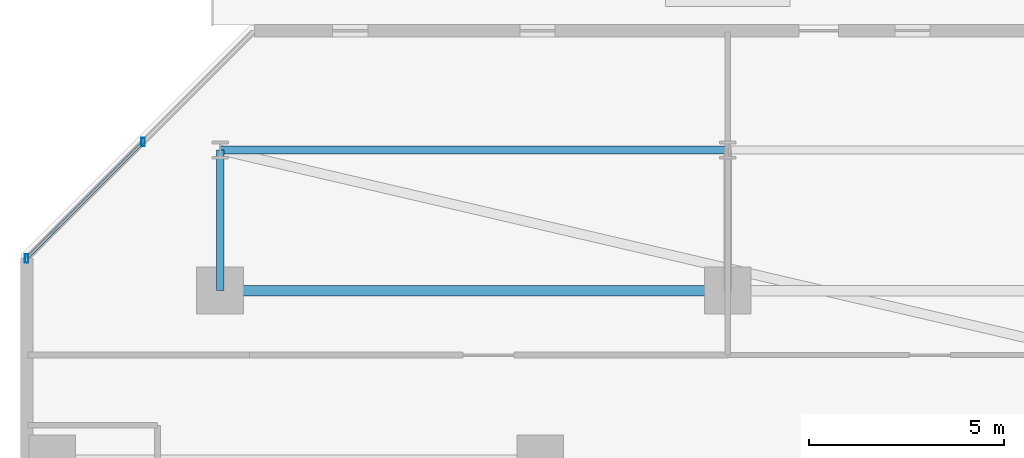
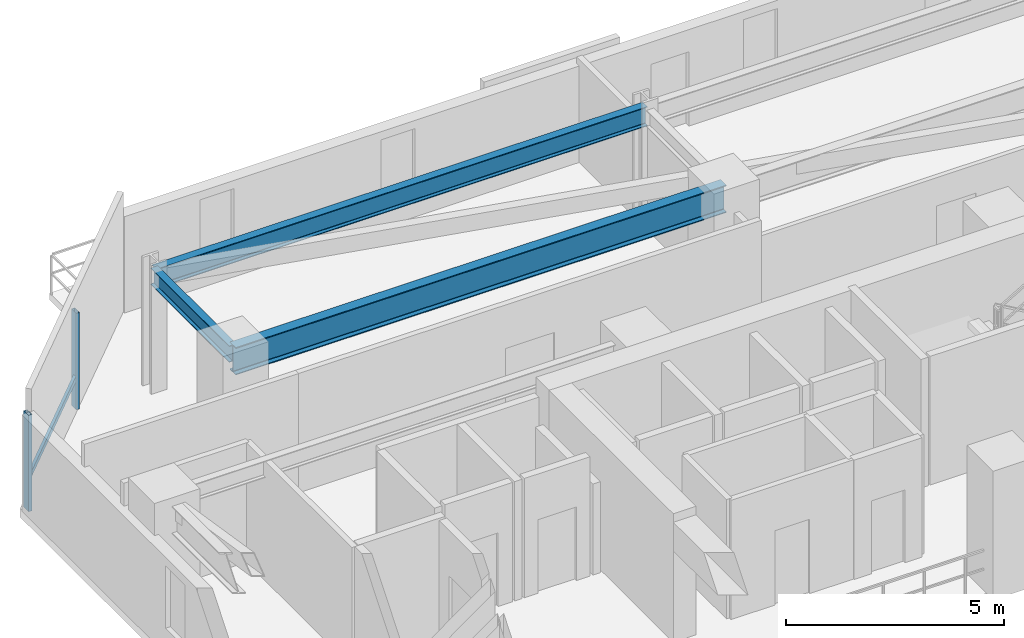
# One storey, part 8 of 30: 3 beams, 3 members, 1 element without a shape of its own.
"""IFC4 building model written with IfcOpenShell, lengths in metres."""

import ifcopenshell
import ifcopenshell.guid

model = None  # the IFC model being written
_history = None  # IfcOwnerHistory: only IFC2X3 demands one
_inside = {}  # id of a spatial element -> (the spatial element, [elements in it])
_under = {}  # id of a project, library or spatial element -> (it, [spatial elements below it])
_declared = {}  # id of a project -> (the project, [libraries it declares])
_typed = {}  # id of a type object -> (the type object, [elements of that type])
_made_of = {}  # id of a material, layer set ... -> (it, [elements and type objects made of it])


def new_model(schema):
    """Start an empty IFC model of exactly this schema.

    Asked for "IFC4X3", IfcOpenShell would pick the latest addendum, in which some entities
    have other attributes; the version numbers below select the first issue.
    IFC2X3 requires an IfcOwnerHistory on every rooted entity: one is made here for all.
    """
    global model, _history
    if schema == "IFC4X3":
        model = ifcopenshell.file(schema_version=(4, 3, 0, 0))
    else:
        model = ifcopenshell.file(schema=schema)
    _inside.clear()
    _under.clear()
    _declared.clear()
    _typed.clear()
    _made_of.clear()
    _history = None
    if model.schema == "IFC2X3":
        org = make("IfcOrganization", Name="unknown")
        user = make(
            "IfcPersonAndOrganization",
            ThePerson=make("IfcPerson", FamilyName="unknown"),
            TheOrganization=org,
        )
        app = make(
            "IfcApplication",
            ApplicationDeveloper=org,
            Version="unknown",
            ApplicationFullName="unknown",
            ApplicationIdentifier="unknown",
        )
        _history = make(
            "IfcOwnerHistory",
            OwningUser=user,
            OwningApplication=app,
            ChangeAction="ADDED",
            CreationDate=0,
        )
    return model


def make(cls, **values):
    """One entity of the class cls with the attributes given. An attribute that is None is left unset."""
    return model.create_entity(
        cls, **{name: value for name, value in values.items() if value is not None}
    )


def rooted(cls, **values):
    """An entity with a GlobalId (a new one), such as an element, a storey or a relation."""
    return make(cls, GlobalId=ifcopenshell.guid.new(), OwnerHistory=_history, **values)


def si_unit(unit_type, name, prefix=None):
    """IfcSIUnit, for example si_unit("LENGTHUNIT", "METRE", prefix="MILLI")."""
    return make("IfcSIUnit", UnitType=unit_type, Prefix=prefix, Name=name)


def assignment(units):
    """IfcUnitAssignment: the units of a project."""
    return None if units is None else make("IfcUnitAssignment", Units=units)


def point(xyz):
    """IfcCartesianPoint."""
    return None if xyz is None else make("IfcCartesianPoint", Coordinates=xyz)


def direction(xyz):
    """IfcDirection."""
    return None if xyz is None else make("IfcDirection", DirectionRatios=xyz)


def frame(location, z_axis=None, x_axis=None):
    """IfcAxis2Placement3D, a coordinate frame: its origin and axes. An axis left out is left unset."""
    return make(
        "IfcAxis2Placement3D",
        Location=point(location),
        Axis=direction(z_axis),
        RefDirection=direction(x_axis),
    )


def frame_2d(location, x_axis=None):
    """IfcAxis2Placement2D, a coordinate frame in the plane: its origin and x axis."""
    return make(
        "IfcAxis2Placement2D", Location=point(location), RefDirection=direction(x_axis)
    )


def origin():
    """The frame at (0, 0, 0) with its axes left unset."""
    return frame((0.0, 0.0, 0.0))


def origin_2d():
    """The frame at (0, 0) in the plane with its x axis left unset."""
    return frame_2d((0.0, 0.0))


def place(relative_to, where):
    """IfcLocalPlacement: puts the frame where relative to a parent placement (None: the world)."""
    return make(
        "IfcLocalPlacement", PlacementRelTo=relative_to, RelativePlacement=where
    )


def context(
    kind, dimensions, precision=None, world=None, true_north=None, identifier=None
):
    """IfcGeometricRepresentationContext, for example the 3D "Model" context."""
    return make(
        "IfcGeometricRepresentationContext",
        ContextIdentifier=identifier,
        ContextType=kind,
        CoordinateSpaceDimension=dimensions,
        Precision=precision,
        WorldCoordinateSystem=world,
        TrueNorth=true_north,
    )


def subcontext(parent, identifier, kind, view, scale=None):
    """IfcGeometricRepresentationSubContext, for example "Body" below "Model"."""
    return make(
        "IfcGeometricRepresentationSubContext",
        ContextIdentifier=identifier,
        ContextType=kind,
        ParentContext=parent,
        TargetScale=scale,
        TargetView=view,
    )


def project(units=None, contexts=None):
    """IfcProject with its units and contexts."""
    return rooted(
        "IfcProject",
        Name="project",
        RepresentationContexts=contexts,
        UnitsInContext=assignment(units),
    )


def spatial(cls, under=None, at=None, **own):
    """A site, building, storey or space (cls), placed at a placement, below another one or the project."""
    s = rooted(cls, ObjectPlacement=at, **own)
    if under is not None:
        _under.setdefault(under.id(), (under, []))[1].append(s)
    return s


def profile(cls, at=None, kind="AREA", **sizes):
    """A parametric profile (cls). Its sizes go by their IFC names, for example OverallWidth=200.0."""
    return make(cls, ProfileType=kind, Position=at, **sizes)


def hollow_rectangle(**sizes):
    """IfcRectangleHollowProfileDef."""
    return profile("IfcRectangleHollowProfileDef", **sizes)


def i_section(**sizes):
    """IfcIShapeProfileDef."""
    return profile("IfcIShapeProfileDef", **sizes)


def extrude(swept, where, along, depth):
    """IfcExtrudedAreaSolid: the profile swept, set in the frame where, extruded along a direction by depth."""
    return make(
        "IfcExtrudedAreaSolid",
        SweptArea=swept,
        Position=where,
        ExtrudedDirection=direction(along),
        Depth=depth,
    )


def shape(context_of_items, identifier, shape_type, items):
    """IfcShapeRepresentation: the items that make up one representation, for example the "Body"."""
    return make(
        "IfcShapeRepresentation",
        ContextOfItems=context_of_items,
        RepresentationIdentifier=identifier,
        RepresentationType=shape_type,
        Items=items,
    )


def material(Name=None, Category=None):
    """IfcMaterial."""
    return make("IfcMaterial", Name=Name, Category=Category)


def material_profile(
    of_material, cross_section, Name=None, Category=None, Priority=None
):
    """IfcMaterialProfile: a cross section and its material."""
    return make(
        "IfcMaterialProfile",
        Name=Name,
        Material=of_material,
        Profile=cross_section,
        Priority=Priority,
        Category=Category,
    )


def profile_set(profiles, Name=None, composite=None):
    """IfcMaterialProfileSet."""
    return make(
        "IfcMaterialProfileSet",
        Name=Name,
        MaterialProfiles=profiles,
        CompositeProfile=composite,
    )


def made_of(thing, what):
    """Note that an element or type object is made of a material, layer set ...; save() writes the relation."""
    if what is not None:
        _made_of.setdefault(what.id(), (what, []))[1].append(thing)
    return thing


def type_object(cls, material=None, **own):
    """A type object (cls), such as IfcWallType, which elements share."""
    return made_of(rooted(cls, **own), material)


def element(
    cls,
    number,
    at=None,
    inside=None,
    cuts=None,
    type_object=None,
    material=None,
    context=None,
    identifier="Body",
    shape_type=None,
    held_by="IfcProductDefinitionShape",
    body=None,
    shapes=None,
    **own,
):
    """One element of the class cls, such as IfcWall. Its Tag is "e" and its number.

    at: its placement. inside: the storey or other place that contains it. cuts: it is an
    opening in that element (IfcRelVoidsElement). A single representation is given by context,
    identifier, shape_type and body (its items); several are given by shapes. held_by: the class
    of the entity that holds the representations. save() writes the other relations.
    """
    e = rooted(cls, Tag="e%d" % number, ObjectPlacement=at, **own)
    if body is not None:
        shapes = [shape(context, identifier, shape_type, body)]
    if shapes is not None:
        e.Representation = make(held_by, Representations=shapes)
    if inside is not None:
        _inside.setdefault(inside.id(), (inside, []))[1].append(e)
    if cuts is not None:
        rooted(
            "IfcRelVoidsElement", RelatingBuildingElement=cuts, RelatedOpeningElement=e
        )
    if type_object is not None:
        _typed.setdefault(type_object.id(), (type_object, []))[1].append(e)
    return made_of(e, material)


def aggregate(whole, parts):
    """IfcRelAggregates: a whole, such as a stair, and the parts it consists of."""
    return rooted("IfcRelAggregates", RelatingObject=whole, RelatedObjects=parts)


def save(model, path):
    """Write the relations noted so far, then the file.

    IfcRelAggregates (storeys below a building ...), IfcRelContainedInSpatialStructure (elements
    in a storey), IfcRelDefinesByType, IfcRelAssociatesMaterial and IfcRelDeclares: one each for
    every whole, place, type object, material and project.
    """
    for whole, parts in _under.values():
        aggregate(whole, parts)
    for where, things in _inside.values():
        rooted(
            "IfcRelContainedInSpatialStructure",
            RelatedElements=things,
            RelatingStructure=where,
        )
    for kind, things in _typed.values():
        rooted("IfcRelDefinesByType", RelatedObjects=things, RelatingType=kind)
    for what, things in _made_of.values():
        rooted("IfcRelAssociatesMaterial", RelatedObjects=things, RelatingMaterial=what)
    for by, libraries in _declared.values():
        rooted("IfcRelDeclares", RelatingContext=by, RelatedDefinitions=libraries)
    model.write(path)


model = new_model("IFC4")

# Units and contexts
model_context = context("Model", 3, precision=1e-05, world=origin(), true_north=direction((0.0, 1.0)))
body_context = subcontext(model_context, "Body", "Model", "MODEL_VIEW")
ifc_project = project(units=[si_unit("LENGTHUNIT", "METRE"), si_unit("AREAUNIT", "SQUARE_METRE"), si_unit("VOLUMEUNIT", "CUBIC_METRE"), si_unit("PLANEANGLEUNIT", "RADIAN"), si_unit("MASSUNIT", "GRAM", prefix="KILO")], contexts=[model_context])

# Site, building, storey
site_placement = place(None, origin())
site = spatial("IfcSite", under=ifc_project, at=site_placement, CompositionType="ELEMENT")
building_placement = place(site_placement, origin())
building = spatial("IfcBuilding", under=site, at=building_placement, Name="Thornwick Lancets Civic Towers", CompositionType="ELEMENT")
storey_placement = place(building_placement, frame((0.0, 0.0, 80.10009765625)))
storey = spatial("IfcBuildingStorey", under=building, at=storey_placement, Name="L20", CompositionType="ELEMENT", Elevation=80.10009765625)

# Beams
ifc_material_1 = material(Name="Steel S355JR", Category="steel")
ifc_material_profile_1 = material_profile(ifc_material_1, i_section(OverallWidth=0.2119140625, OverallDepth=0.54443359375, WebThickness=0.0126953125, FlangeThickness=0.021240234375, FilletRadius=0.0126953125, at=origin_2d()), Name="UKB 533x210x122")
ifc_profile_set_1 = profile_set([ifc_material_profile_1], Name="Steel S355JR")
beam_type_1 = type_object("IfcBeamType", Name="BM_EDGE_533_122", PredefinedType="SPANDREL", material=ifc_profile_set_1)
beam_1_placement = place(storey_placement, frame((12.5, 47.89990234375, 3.087646484375), z_axis=(1.0, 0.0, 0.0), x_axis=(0.0, 1.0, 0.0)))
element("IfcBeam", 1, at=beam_1_placement, inside=storey, type_object=beam_type_1, Name="BM-EDGE-L20-A-S2-1", PredefinedType="SPANDREL", context=body_context, shape_type="SweptSolid", body=[
    extrude(i_section(OverallWidth=0.2119140625, OverallDepth=0.54443359375, WebThickness=0.0126953125, FlangeThickness=0.021240234375, FilletRadius=0.0126953125, at=origin_2d()), origin(), (0.0, 0.0, 1.0), 13.0),
])
ifc_material_profile_2 = material_profile(ifc_material_1, i_section(OverallWidth=0.26806640625, OverallDepth=0.769775390625, WebThickness=0.015625, FlangeThickness=0.025390625, FilletRadius=0.0166015625, at=origin_2d()), Name="UKB 762x267x197")
ifc_profile_set_2 = profile_set([ifc_material_profile_2], Name="Steel S355JR")
beam_type_2 = type_object("IfcBeamType", Name="BM_GIRD_762_197", PredefinedType="BEAM", material=ifc_profile_set_2)
beam_2_placement = place(storey_placement, frame((12.5, 44.300048828125, 2.97509765625), z_axis=(1.0, 0.0, 0.0), x_axis=(0.0, 1.0, 0.0)))
element("IfcBeam", 2, at=beam_2_placement, inside=storey, type_object=beam_type_2, Name="BM-SPINE-L20-A-6-7", PredefinedType="BEAM", context=body_context, shape_type="SweptSolid", body=[
    extrude(i_section(OverallWidth=0.26806640625, OverallDepth=0.769775390625, WebThickness=0.015625, FlangeThickness=0.025390625, FilletRadius=0.0166015625, at=origin_2d()), origin(), (0.0, 0.0, 1.0), 13.0),
])
ifc_material_profile_3 = material_profile(ifc_material_1, i_section(OverallWidth=0.19189453125, OverallDepth=0.46337890625, WebThickness=0.010498046875, FlangeThickness=0.017578125, FilletRadius=0.01025390625, at=origin_2d()), Name="UKB 457x191x89")
ifc_profile_set_3 = profile_set([ifc_material_profile_3], Name="Steel S355JR")
beam_type_3 = type_object("IfcBeamType", Name="BM_JOIST_457_89", PredefinedType="JOIST", material=ifc_profile_set_3)
beam_3_placement = place(storey_placement, frame((12.5, 44.300048828125, 3.128173828125), z_axis=(0.0, 1.0, 0.0), x_axis=(-1.0, 0.0, 0.0)))
element("IfcBeam", 3, at=beam_3_placement, inside=storey, type_object=beam_type_3, Name="BM-RAD-L20-A07", PredefinedType="JOIST", context=body_context, shape_type="SweptSolid", body=[
    extrude(i_section(OverallWidth=0.19189453125, OverallDepth=0.46337890625, WebThickness=0.010498046875, FlangeThickness=0.017578125, FilletRadius=0.01025390625, at=origin_2d()), origin(), (0.0, 0.0, 1.0), 3.599853515625),
])

# Curtain wall, members
ifc_material_2 = material(Name="Low-zone chamfered-corner unitised glass curtain wall", Category="glass")
curtain_wall_type = type_object("IfcCurtainWallType", Name="CW_SYS_03", PredefinedType="NOTDEFINED", material=ifc_material_2)
curtain_wall_placement = place(storey_placement, origin())
curtain_wall = element("IfcCurtainWall", 4, at=curtain_wall_placement, inside=storey, type_object=curtain_wall_type, Name="L20 Curtain Wall CW-L20-A-E5", PredefinedType="NOTDEFINED")
ifc_material_3 = material(Name="Thermally broken bronze aluminium S355", Category="steel")
ifc_material_profile_4 = material_profile(ifc_material_3, hollow_rectangle(XDim=0.090087890625, YDim=0.219970703125, WallThickness=0.00634765625, at=origin_2d()), Name="RHS 220x90x6.3")
ifc_profile_set_4 = profile_set([ifc_material_profile_4], Name="Thermally broken bronze aluminium S355")
member_type_1 = type_object("IfcMemberType", Name="CW_MUL_220", PredefinedType="MULLION", material=ifc_profile_set_4)
member_1_placement = place(storey_placement, frame((10.5283203125, 48.10400390625, 0.0), z_axis=(0.0, 0.0, 1.0), x_axis=(1.0, 0.0, 0.0)))
member_1 = element("IfcMember", 5, at=member_1_placement, type_object=member_type_1, Name="CW-L20-A-E5 Mullion 0", PredefinedType="MULLION", context=body_context, shape_type="SweptSolid", body=[
    extrude(hollow_rectangle(XDim=0.090087890625, YDim=0.219970703125, WallThickness=0.00634765625, at=origin_2d()), origin(), (0.0, 0.0, 1.0), 2.699951171875),
])
member_2_placement = place(storey_placement, frame((7.5458984375, 45.12158203125, 0.0), z_axis=(0.0, 0.0, 1.0), x_axis=(1.0, 0.0, 0.0)))
member_2 = element("IfcMember", 6, at=member_2_placement, type_object=member_type_1, Name="CW-L20-A-E5 Mullion 1", PredefinedType="MULLION", context=body_context, shape_type="SweptSolid", body=[
    extrude(hollow_rectangle(XDim=0.090087890625, YDim=0.219970703125, WallThickness=0.00634765625, at=origin_2d()), origin(), (0.0, 0.0, 1.0), 2.699951171875),
])
ifc_material_profile_5 = material_profile(ifc_material_3, hollow_rectangle(XDim=0.074951171875, YDim=0.14990234375, WallThickness=0.0048828125, at=origin_2d()), Name="RHS 150x75x5")
ifc_profile_set_5 = profile_set([ifc_material_profile_5], Name="Thermally broken bronze aluminium S355")
member_type_2 = type_object("IfcMemberType", Name="CW_TRN_150", PredefinedType="USERDEFINED", material=ifc_profile_set_5)
member_3_placement = place(storey_placement, frame((10.51416015625, 48.08984375, 0.849853515625), z_axis=(-0.707106781187, -0.707106781187, 0.0), x_axis=(0.707106781187, -0.707106781187, 0.0)))
member_3 = element("IfcMember", 7, at=member_3_placement, type_object=member_type_2, Name="CW-L20-A-E5 Transom 0", ObjectType="TRANSOM", PredefinedType="USERDEFINED", context=body_context, shape_type="SweptSolid", body=[
    extrude(hollow_rectangle(XDim=0.074951171875, YDim=0.14990234375, WallThickness=0.0048828125, at=origin_2d()), origin(), (0.0, 0.0, 1.0), 4.177734375),
])
aggregate(curtain_wall, [member_1, member_2, member_3])

save(model, "model.ifc")
